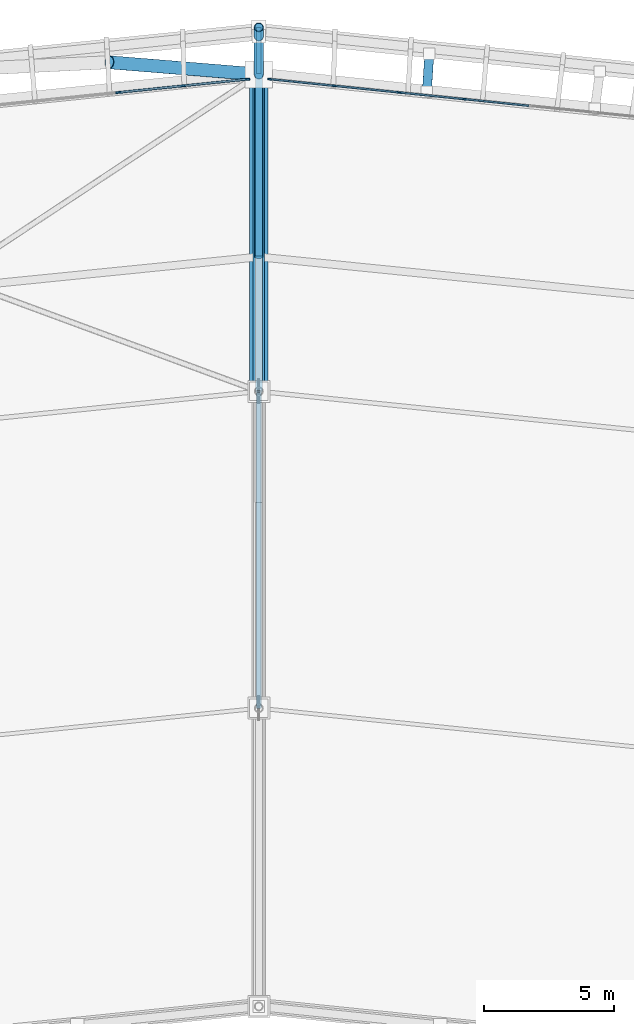
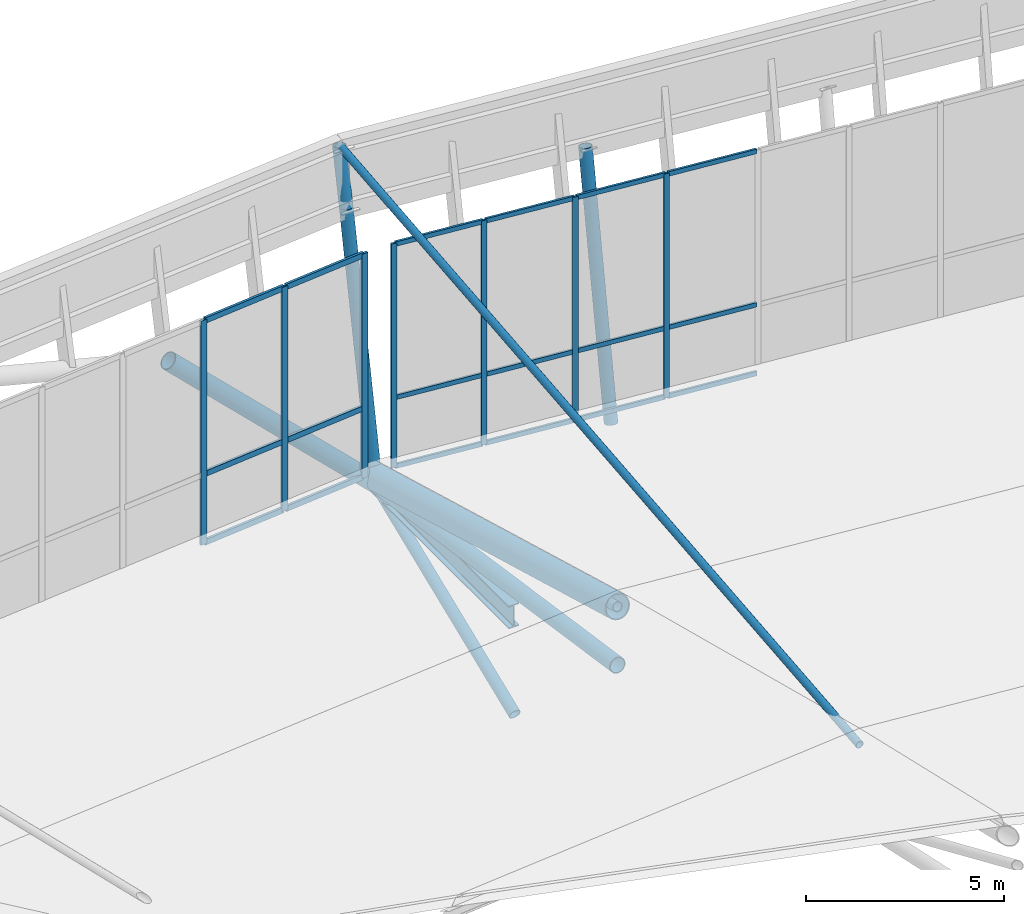
# One storey, part 71 of 115: 34 members, 1 beam, 2 elements without a shape of their own.
"""IFC4 building model written with IfcOpenShell, lengths in metres."""

from ifc_helpers import new_model, si_unit, direction, frame, origin, origin_2d, place, context, subcontext, project, spatial, rectangle, hollow_circle, i_section, extrude, material, material_profile, profile_set, type_object, element, aggregate, save


model = new_model("IFC4")

# Units and contexts
model_context = context("Model", 3, precision=1e-05, world=origin(), true_north=direction((0.0, 1.0)))
body_context = subcontext(model_context, "Body", "Model", "MODEL_VIEW")
ifc_project = project(units=[si_unit("LENGTHUNIT", "METRE"), si_unit("AREAUNIT", "SQUARE_METRE"), si_unit("VOLUMEUNIT", "CUBIC_METRE"), si_unit("PLANEANGLEUNIT", "RADIAN"), si_unit("MASSUNIT", "GRAM", prefix="KILO")], contexts=[model_context])

# Site, building, storey
site_placement = place(None, origin())
site = spatial("IfcSite", under=ifc_project, at=site_placement, CompositionType="ELEMENT")
building_placement = place(site_placement, origin())
building = spatial("IfcBuilding", under=site, at=building_placement, Name="Zlatoyarsky Gate Stadium", CompositionType="ELEMENT")
storey_placement = place(building_placement, frame((0.0, 0.0, 31.800048828125)))
storey = spatial("IfcBuildingStorey", under=building, at=storey_placement, Name="RF", CompositionType="ELEMENT", Elevation=31.800048828125)

# Curtain wall, members
ifc_material_1 = material(Name="Thermally broken anodised aluminium curtain wall", Category="aluminium")
curtain_wall_type_1 = type_object("IfcCurtainWallType", Name="MONUMENTAL ARCHED GATE GLAZING UPPER", PredefinedType="USERDEFINED", material=ifc_material_1)
curtain_wall_1_placement = place(storey_placement, origin())
curtain_wall_1 = element("IfcCurtainWall", 1, at=curtain_wall_1_placement, inside=storey, type_object=curtain_wall_type_1, Name="Curtain wall CW-RF-06", ObjectType="ARCHED GATE GLAZING", PredefinedType="USERDEFINED")
ifc_material_2 = material(Name="Anodised aluminium 6063-T6", Category="aluminium")
ifc_material_profile_1 = material_profile(ifc_material_2, rectangle(XDim=0.074951171875, YDim=0.18994140625, at=origin_2d()), Name="ALU 75X190")
ifc_profile_set_1 = profile_set([ifc_material_profile_1], Name="Anodised aluminium 6063-T6")
member_type_1 = type_object("IfcMemberType", Name="ALUMINIUM GATE MULLION 75X190", PredefinedType="MULLION", material=ifc_profile_set_1)
member_1_placement = place(storey_placement, frame((110.564697265625, 157.843017578125, 0.0), z_axis=(0.0, 0.0, 1.0), x_axis=(0.102125168703, -0.994771556649, 0.0)))
member_1 = element("IfcMember", 2, at=member_1_placement, type_object=member_type_1, Name="CW-AG2 mullion 1", PredefinedType="MULLION", context=body_context, shape_type="SweptSolid", body=[
    extrude(rectangle(XDim=0.074951171875, YDim=0.18994140625, at=origin_2d()), origin(), (0.0, 0.0, 1.0), 6.89990234375),
])
member_2_placement = place(storey_placement, frame((108.096435546875, 157.589599609375, 0.0), z_axis=(0.0, 0.0, 1.0), x_axis=(0.102125168703, -0.994771556649, 0.0)))
member_2 = element("IfcMember", 3, at=member_2_placement, type_object=member_type_1, Name="CW-AG2 mullion 2", PredefinedType="MULLION", context=body_context, shape_type="SweptSolid", body=[
    extrude(rectangle(XDim=0.074951171875, YDim=0.18994140625, at=origin_2d()), origin(), (0.0, 0.0, 1.0), 6.89990234375),
])
member_3_placement = place(storey_placement, frame((105.5908203125, 157.332275390625, 0.0), z_axis=(0.0, 0.0, 1.0), x_axis=(0.102125168703, -0.994771556649, 0.0)))
member_3 = element("IfcMember", 4, at=member_3_placement, type_object=member_type_1, Name="CW-AG2 mullion 3", PredefinedType="MULLION", context=body_context, shape_type="SweptSolid", body=[
    extrude(rectangle(XDim=0.074951171875, YDim=0.18994140625, at=origin_2d()), origin(), (0.0, 0.0, 1.0), 6.89990234375),
])
ifc_material_profile_2 = material_profile(ifc_material_2, rectangle(XDim=0.074951171875, YDim=0.169921875, at=origin_2d()), Name="ALU 75X170")
ifc_profile_set_2 = profile_set([ifc_material_profile_2], Name="Anodised aluminium 6063-T6")
member_type_2 = type_object("IfcMemberType", Name="ALUMINIUM GATE TRANSOM 75X170", PredefinedType="USERDEFINED", material=ifc_profile_set_2)
member_4_placement = place(storey_placement, frame((110.527587890625, 157.839111328125, 0.037353515625), z_axis=(-0.994777741442, -0.102064906465, 0.0), x_axis=(0.102064906465, -0.994777741442, 0.0)))
member_4 = element("IfcMember", 5, at=member_4_placement, type_object=member_type_2, Name="CW-AG2 transom 1.1", ObjectType="TRANSOM", PredefinedType="USERDEFINED", context=body_context, shape_type="SweptSolid", body=[
    extrude(rectangle(XDim=0.074951171875, YDim=0.169921875, at=origin_2d()), origin(), (0.0, 0.0, 1.0), 2.40625),
])
member_5_placement = place(storey_placement, frame((110.527587890625, 157.839111328125, 2.14990234375), z_axis=(-0.994777741442, -0.102064906465, 0.0), x_axis=(0.102064906465, -0.994777741442, 0.0)))
member_5 = element("IfcMember", 6, at=member_5_placement, type_object=member_type_2, Name="CW-AG2 transom 1.2", ObjectType="TRANSOM", PredefinedType="USERDEFINED", context=body_context, shape_type="SweptSolid", body=[
    extrude(rectangle(XDim=0.074951171875, YDim=0.169921875, at=origin_2d()), origin(), (0.0, 0.0, 1.0), 2.40625),
])
member_6_placement = place(storey_placement, frame((110.527587890625, 157.839111328125, 6.862548828125), z_axis=(-0.994777741442, -0.102064906465, 0.0), x_axis=(0.102064906465, -0.994777741442, 0.0)))
member_6 = element("IfcMember", 7, at=member_6_placement, type_object=member_type_2, Name="CW-AG2 transom 1.3", ObjectType="TRANSOM", PredefinedType="USERDEFINED", context=body_context, shape_type="SweptSolid", body=[
    extrude(rectangle(XDim=0.074951171875, YDim=0.169921875, at=origin_2d()), origin(), (0.0, 0.0, 1.0), 2.40625),
])
member_7_placement = place(storey_placement, frame((108.05908203125, 157.585693359375, 0.037353515625), z_axis=(-0.994774676967, -0.10209477002, 0.0), x_axis=(0.10209477002, -0.994774676967, 0.0)))
member_7 = element("IfcMember", 8, at=member_7_placement, type_object=member_type_2, Name="CW-AG2 transom 2.1", ObjectType="TRANSOM", PredefinedType="USERDEFINED", context=body_context, shape_type="SweptSolid", body=[
    extrude(rectangle(XDim=0.074951171875, YDim=0.169921875, at=origin_2d()), origin(), (0.0, 0.0, 1.0), 2.44384765625),
])
member_8_placement = place(storey_placement, frame((108.05908203125, 157.585693359375, 2.14990234375), z_axis=(-0.994774676967, -0.10209477002, 0.0), x_axis=(0.10209477002, -0.994774676967, 0.0)))
member_8 = element("IfcMember", 9, at=member_8_placement, type_object=member_type_2, Name="CW-AG2 transom 2.2", ObjectType="TRANSOM", PredefinedType="USERDEFINED", context=body_context, shape_type="SweptSolid", body=[
    extrude(rectangle(XDim=0.074951171875, YDim=0.169921875, at=origin_2d()), origin(), (0.0, 0.0, 1.0), 2.44384765625),
])
member_9_placement = place(storey_placement, frame((108.05908203125, 157.585693359375, 6.862548828125), z_axis=(-0.994774676967, -0.10209477002, 0.0), x_axis=(0.10209477002, -0.994774676967, 0.0)))
member_9 = element("IfcMember", 10, at=member_9_placement, type_object=member_type_2, Name="CW-AG2 transom 2.3", ObjectType="TRANSOM", PredefinedType="USERDEFINED", context=body_context, shape_type="SweptSolid", body=[
    extrude(rectangle(XDim=0.074951171875, YDim=0.169921875, at=origin_2d()), origin(), (0.0, 0.0, 1.0), 2.44384765625),
])
aggregate(curtain_wall_1, [member_1, member_2, member_3, member_4, member_5, member_6, member_7, member_8, member_9])

curtain_wall_type_2 = type_object("IfcCurtainWallType", Name="UNITISED SKYBOX RING GLAZING L05", PredefinedType="USERDEFINED", material=ifc_material_1)
curtain_wall_2_placement = place(storey_placement, origin())
curtain_wall_2 = element("IfcCurtainWall", 11, at=curtain_wall_2_placement, inside=storey, type_object=curtain_wall_type_2, Name="Curtain wall CW-RF-05", ObjectType="UNITISED GLAZING", PredefinedType="USERDEFINED")
ifc_material_profile_3 = material_profile(ifc_material_2, rectangle(XDim=0.06494140625, YDim=0.159912109375, at=origin_2d()), Name="ALU 65X160")
ifc_profile_set_3 = profile_set([ifc_material_profile_3], Name="Anodised aluminium 6063-T6")
member_type_3 = type_object("IfcMemberType", Name="ALUMINIUM MULLION 65X160", PredefinedType="MULLION", material=ifc_profile_set_3)
member_10_placement = place(storey_placement, frame((118.9150390625, 157.0751953125, 0.0), z_axis=(0.0, 0.0, 1.0), x_axis=(-0.102125168703, -0.994771556649, 0.0)))
member_10 = element("IfcMember", 12, at=member_10_placement, type_object=member_type_3, Name="CW-UG5 mullion 8", PredefinedType="MULLION", context=body_context, shape_type="SweptSolid", body=[
    extrude(rectangle(XDim=0.06494140625, YDim=0.159912109375, at=origin_2d()), origin(), (0.0, 0.0, 1.0), 6.89990234375),
])
member_11_placement = place(storey_placement, frame((116.4091796875, 157.332275390625, 0.0), z_axis=(0.0, 0.0, 1.0), x_axis=(-0.102125168703, -0.994771556649, 0.0)))
member_11 = element("IfcMember", 13, at=member_11_placement, type_object=member_type_3, Name="CW-UG5 mullion 9", PredefinedType="MULLION", context=body_context, shape_type="SweptSolid", body=[
    extrude(rectangle(XDim=0.06494140625, YDim=0.159912109375, at=origin_2d()), origin(), (0.0, 0.0, 1.0), 6.89990234375),
])
member_12_placement = place(storey_placement, frame((113.903564453125, 157.589599609375, 0.0), z_axis=(0.0, 0.0, 1.0), x_axis=(-0.102125168703, -0.994771556649, 0.0)))
member_12 = element("IfcMember", 14, at=member_12_placement, type_object=member_type_3, Name="CW-UG5 mullion 10", PredefinedType="MULLION", context=body_context, shape_type="SweptSolid", body=[
    extrude(rectangle(XDim=0.06494140625, YDim=0.159912109375, at=origin_2d()), origin(), (0.0, 0.0, 1.0), 6.89990234375),
])
member_13_placement = place(storey_placement, frame((111.43017578125, 157.843505859375, 0.0), z_axis=(0.0, 0.0, 1.0), x_axis=(-0.102125168703, -0.994771556649, 0.0)))
member_13 = element("IfcMember", 15, at=member_13_placement, type_object=member_type_3, Name="CW-UG5 mullion 11", PredefinedType="MULLION", context=body_context, shape_type="SweptSolid", body=[
    extrude(rectangle(XDim=0.06494140625, YDim=0.159912109375, at=origin_2d()), origin(), (0.0, 0.0, 1.0), 6.89990234375),
])
ifc_material_profile_4 = material_profile(ifc_material_2, rectangle(XDim=0.06494140625, YDim=0.139892578125, at=origin_2d()), Name="ALU 65X140")
ifc_profile_set_4 = profile_set([ifc_material_profile_4], Name="Anodised aluminium 6063-T6")
member_type_4 = type_object("IfcMemberType", Name="ALUMINIUM TRANSOM 65X140", PredefinedType="USERDEFINED", material=ifc_profile_set_4)
member_14_placement = place(storey_placement, frame((121.388427734375, 156.821044921875, 0.032470703125), z_axis=(-0.994766670268, 0.102172754312, 0.0), x_axis=(-0.102172754312, -0.994766670268, 0.0)))
member_14 = element("IfcMember", 16, at=member_14_placement, type_object=member_type_4, Name="CW-UG5 transom 7.1", ObjectType="TRANSOM", PredefinedType="USERDEFINED", context=body_context, shape_type="SweptSolid", body=[
    extrude(rectangle(XDim=0.06494140625, YDim=0.139892578125, at=origin_2d()), origin(), (0.0, 0.0, 1.0), 2.4541015625),
])
member_15_placement = place(storey_placement, frame((121.388427734375, 156.821044921875, 2.14990234375), z_axis=(-0.994766670268, 0.102172754312, 0.0), x_axis=(-0.102172754312, -0.994766670268, 0.0)))
member_15 = element("IfcMember", 17, at=member_15_placement, type_object=member_type_4, Name="CW-UG5 transom 7.2", ObjectType="TRANSOM", PredefinedType="USERDEFINED", context=body_context, shape_type="SweptSolid", body=[
    extrude(rectangle(XDim=0.06494140625, YDim=0.139892578125, at=origin_2d()), origin(), (0.0, 0.0, 1.0), 2.4541015625),
])
member_16_placement = place(storey_placement, frame((121.388427734375, 156.821044921875, 6.867431640625), z_axis=(-0.994766670268, 0.102172754312, 0.0), x_axis=(-0.102172754312, -0.994766670268, 0.0)))
member_16 = element("IfcMember", 18, at=member_16_placement, type_object=member_type_4, Name="CW-UG5 transom 7.3", ObjectType="TRANSOM", PredefinedType="USERDEFINED", context=body_context, shape_type="SweptSolid", body=[
    extrude(rectangle(XDim=0.06494140625, YDim=0.139892578125, at=origin_2d()), origin(), (0.0, 0.0, 1.0), 2.4541015625),
])
member_17_placement = place(storey_placement, frame((118.882568359375, 157.078369140625, 0.032470703125), z_axis=(-0.994765631546, 0.102182866933, 0.0), x_axis=(-0.102182866933, -0.994765631546, 0.0)))
member_17 = element("IfcMember", 19, at=member_17_placement, type_object=member_type_4, Name="CW-UG5 transom 8.1", ObjectType="TRANSOM", PredefinedType="USERDEFINED", context=body_context, shape_type="SweptSolid", body=[
    extrude(rectangle(XDim=0.06494140625, YDim=0.139892578125, at=origin_2d()), origin(), (0.0, 0.0, 1.0), 2.453857421875),
])
member_18_placement = place(storey_placement, frame((118.882568359375, 157.078369140625, 2.14990234375), z_axis=(-0.994765631546, 0.102182866933, 0.0), x_axis=(-0.102182866933, -0.994765631546, 0.0)))
member_18 = element("IfcMember", 20, at=member_18_placement, type_object=member_type_4, Name="CW-UG5 transom 8.2", ObjectType="TRANSOM", PredefinedType="USERDEFINED", context=body_context, shape_type="SweptSolid", body=[
    extrude(rectangle(XDim=0.06494140625, YDim=0.139892578125, at=origin_2d()), origin(), (0.0, 0.0, 1.0), 2.453857421875),
])
member_19_placement = place(storey_placement, frame((118.882568359375, 157.078369140625, 6.867431640625), z_axis=(-0.994765631546, 0.102182866933, 0.0), x_axis=(-0.102182866933, -0.994765631546, 0.0)))
member_19 = element("IfcMember", 21, at=member_19_placement, type_object=member_type_4, Name="CW-UG5 transom 8.3", ObjectType="TRANSOM", PredefinedType="USERDEFINED", context=body_context, shape_type="SweptSolid", body=[
    extrude(rectangle(XDim=0.06494140625, YDim=0.139892578125, at=origin_2d()), origin(), (0.0, 0.0, 1.0), 2.453857421875),
])
member_20_placement = place(storey_placement, frame((116.376953125, 157.335693359375, 0.032470703125), z_axis=(-0.994775740393, 0.102084407846, 0.0), x_axis=(-0.102084407846, -0.994775740393, 0.0)))
member_20 = element("IfcMember", 22, at=member_20_placement, type_object=member_type_4, Name="CW-UG5 transom 9.1", ObjectType="TRANSOM", PredefinedType="USERDEFINED", context=body_context, shape_type="SweptSolid", body=[
    extrude(rectangle(XDim=0.06494140625, YDim=0.139892578125, at=origin_2d()), origin(), (0.0, 0.0, 1.0), 2.453857421875),
])
member_21_placement = place(storey_placement, frame((116.376953125, 157.335693359375, 2.14990234375), z_axis=(-0.994775740393, 0.102084407846, 0.0), x_axis=(-0.102084407846, -0.994775740393, 0.0)))
member_21 = element("IfcMember", 23, at=member_21_placement, type_object=member_type_4, Name="CW-UG5 transom 9.2", ObjectType="TRANSOM", PredefinedType="USERDEFINED", context=body_context, shape_type="SweptSolid", body=[
    extrude(rectangle(XDim=0.06494140625, YDim=0.139892578125, at=origin_2d()), origin(), (0.0, 0.0, 1.0), 2.453857421875),
])
member_22_placement = place(storey_placement, frame((116.376953125, 157.335693359375, 6.867431640625), z_axis=(-0.994775740393, 0.102084407846, 0.0), x_axis=(-0.102084407846, -0.994775740393, 0.0)))
member_22 = element("IfcMember", 24, at=member_22_placement, type_object=member_type_4, Name="CW-UG5 transom 9.3", ObjectType="TRANSOM", PredefinedType="USERDEFINED", context=body_context, shape_type="SweptSolid", body=[
    extrude(rectangle(XDim=0.06494140625, YDim=0.139892578125, at=origin_2d()), origin(), (0.0, 0.0, 1.0), 2.453857421875),
])
member_23_placement = place(storey_placement, frame((113.871337890625, 157.5927734375, 0.032470703125), z_axis=(-0.994770149226, 0.102138877069, 0.0), x_axis=(-0.102138877069, -0.994770149226, 0.0)))
member_23 = element("IfcMember", 25, at=member_23_placement, type_object=member_type_4, Name="CW-UG5 transom 10.1", ObjectType="TRANSOM", PredefinedType="USERDEFINED", context=body_context, shape_type="SweptSolid", body=[
    extrude(rectangle(XDim=0.06494140625, YDim=0.139892578125, at=origin_2d()), origin(), (0.0, 0.0, 1.0), 2.42138671875),
])
member_24_placement = place(storey_placement, frame((113.871337890625, 157.5927734375, 2.14990234375), z_axis=(-0.994770149226, 0.102138877069, 0.0), x_axis=(-0.102138877069, -0.994770149226, 0.0)))
member_24 = element("IfcMember", 26, at=member_24_placement, type_object=member_type_4, Name="CW-UG5 transom 10.2", ObjectType="TRANSOM", PredefinedType="USERDEFINED", context=body_context, shape_type="SweptSolid", body=[
    extrude(rectangle(XDim=0.06494140625, YDim=0.139892578125, at=origin_2d()), origin(), (0.0, 0.0, 1.0), 2.42138671875),
])
member_25_placement = place(storey_placement, frame((113.871337890625, 157.5927734375, 6.867431640625), z_axis=(-0.994770149226, 0.102138877069, 0.0), x_axis=(-0.102138877069, -0.994770149226, 0.0)))
member_25 = element("IfcMember", 27, at=member_25_placement, type_object=member_type_4, Name="CW-UG5 transom 10.3", ObjectType="TRANSOM", PredefinedType="USERDEFINED", context=body_context, shape_type="SweptSolid", body=[
    extrude(rectangle(XDim=0.06494140625, YDim=0.139892578125, at=origin_2d()), origin(), (0.0, 0.0, 1.0), 2.42138671875),
])
aggregate(curtain_wall_2, [member_10, member_11, member_12, member_13, member_14, member_15, member_16, member_17, member_18, member_19, member_20, member_21, member_22, member_23, member_24, member_25])

# Members
ifc_material_3 = material(Name="Steel S355", Category="steel")
ifc_material_profile_5 = material_profile(ifc_material_3, hollow_circle(Radius=0.228515625, WallThickness=0.02490234375, at=origin_2d()), Name="CHS 457X25")
ifc_profile_set_5 = profile_set([ifc_material_profile_5], Name="Steel S355")
member_type_5 = type_object("IfcMemberType", Name="STEEL ARCH BOTTOM CHORD CHS 457X25", PredefinedType="CHORD", material=ifc_profile_set_5)
member_26_placement = place(storey_placement, frame((111.0, 158.027587890625, -0.449951171875), z_axis=(0.0, -0.989298888585, 0.145903080996), x_axis=(1.0, 0.0, 0.0)))
element("IfcMember", 28, at=member_26_placement, inside=storey, type_object=member_type_5, Name="Radial truss R07 bottom chord 1", PredefinedType="CHORD", context=body_context, shape_type="SweptSolid", body=[
    extrude(hollow_circle(Radius=0.228515625, WallThickness=0.02490234375, at=origin_2d()), origin(), (0.0, 0.0, 1.0), 12.335693359375),
])
ifc_material_profile_6 = material_profile(ifc_material_3, hollow_circle(Radius=0.25390625, WallThickness=0.02490234375, at=origin_2d()), Name="CHS 508X25")
ifc_profile_set_6 = profile_set([ifc_material_profile_6], Name="Steel S355")
member_type_6 = type_object("IfcMemberType", Name="STEEL ARCH TOP CHORD CHS 508X25", PredefinedType="CHORD", material=ifc_profile_set_6)
member_27_placement = place(storey_placement, frame((111.0, 158.027587890625, -0.449951171875), z_axis=(-0.721755487905, 0.058837597988, 0.689642771834), x_axis=(-0.081250595925, -0.996693704536, 0.0)))
element("IfcMember", 29, at=member_27_placement, inside=storey, type_object=member_type_6, Name="Monumental gate portal arch chord 06-1", PredefinedType="CHORD", context=body_context, shape_type="SweptSolid", body=[
    extrude(hollow_circle(Radius=0.25390625, WallThickness=0.02490234375, at=origin_2d()), origin(), (0.0, 0.0, 1.0), 7.97509765625),
])
ifc_material_profile_7 = material_profile(ifc_material_3, hollow_circle(Radius=0.35546875, WallThickness=0.031982421875, at=origin_2d()), Name="CHS 711X32")
ifc_profile_set_7 = profile_set([ifc_material_profile_7], Name="Steel S355")
member_type_7 = type_object("IfcMemberType", Name="STEEL ARCH TOP CHORD CHS 711X32", PredefinedType="CHORD", material=ifc_profile_set_7)
member_28_placement = place(storey_placement, frame((111.0, 158.027587890625, -0.25), z_axis=(0.0, -0.96331386973, 0.268377324648), x_axis=(1.0, 0.0, 0.0)))
element("IfcMember", 30, at=member_28_placement, inside=storey, type_object=member_type_7, Name="Radial truss R07 top chord 1", PredefinedType="CHORD", context=body_context, shape_type="SweptSolid", body=[
    extrude(hollow_circle(Radius=0.35546875, WallThickness=0.031982421875, at=origin_2d()), origin(), (0.0, 0.0, 1.0), 12.66845703125),
])
ifc_material_profile_8 = material_profile(ifc_material_3, hollow_circle(Radius=0.109619140625, WallThickness=0.012451171875, at=origin_2d()), Name="CHS 219.1X12.5")
ifc_profile_set_8 = profile_set([ifc_material_profile_8], Name="Steel S355")
member_type_8 = type_object("IfcMemberType", Name="STEEL CANOPY WIND BRACE CHS 219.1X12.5", PredefinedType="BRACE", material=ifc_profile_set_8)
member_29_placement = place(storey_placement, frame((111.0, 159.84423828125, 8.849853515625), z_axis=(0.0, -0.995306120518, -0.09677668345), x_axis=(1.0, 0.0, 0.0)))
element("IfcMember", 31, at=member_29_placement, inside=storey, type_object=member_type_8, Name="Crown fascia tie brace 06", PredefinedType="BRACE", context=body_context, shape_type="SweptSolid", body=[
    extrude(hollow_circle(Radius=0.109619140625, WallThickness=0.012451171875, at=origin_2d()), origin(), (0.0, 0.0, 1.0), 26.347412109375),
])
ifc_material_profile_9 = material_profile(ifc_material_3, hollow_circle(Radius=0.177734375, WallThickness=0.02001953125, at=origin_2d()), Name="CHS 355.6X20")
ifc_profile_set_9 = profile_set([ifc_material_profile_9], Name="Steel S355")
member_type_9 = type_object("IfcMemberType", Name="STEEL LEANING RIB RING STRUT CHS 355.6X20", PredefinedType="STRUT", material=ifc_profile_set_9)
member_30_placement = place(storey_placement, frame((117.472412109375, 157.36279296875, -0.449951171875), z_axis=(0.012240912799, 0.188062064931, 0.982080862143), x_axis=(-0.997888369576, 0.064952304545, 0.0)))
element("IfcMember", 32, at=member_30_placement, inside=storey, type_object=member_type_9, Name="Outward-leaning bowl louvre fin rib RF 05-3", PredefinedType="STRUT", context=body_context, shape_type="SweptSolid", body=[
    extrude(hollow_circle(Radius=0.177734375, WallThickness=0.02001953125, at=origin_2d()), origin(), (0.0, 0.0, 1.0), 7.738525390625),
])
member_31_placement = place(storey_placement, frame((111.0, 158.027587890625, -0.449951171875), z_axis=(0.0, 0.189627638022, 0.981856078506), x_axis=(-1.0, 0.0, 0.0)))
element("IfcMember", 33, at=member_31_placement, inside=storey, type_object=member_type_9, Name="Outward-leaning crown fascia lower post 06", PredefinedType="STRUT", context=body_context, shape_type="SweptSolid", body=[
    extrude(hollow_circle(Radius=0.177734375, WallThickness=0.02001953125, at=origin_2d()), origin(), (0.0, 0.0, 1.0), 7.740234375),
])
member_32_placement = place(storey_placement, frame((111.0, 159.495361328125, 7.14990234375), z_axis=(0.0, 0.201037606768, 0.979583524088), x_axis=(-1.0, 0.0, 0.0)))
element("IfcMember", 34, at=member_32_placement, inside=storey, type_object=member_type_9, Name="Outward-leaning crown fascia upper post 06", PredefinedType="STRUT", context=body_context, shape_type="SweptSolid", body=[
    extrude(hollow_circle(Radius=0.177734375, WallThickness=0.02001953125, at=origin_2d()), origin(), (0.0, 0.0, 1.0), 1.7353515625),
])

# Beam
ifc_material_profile_10 = material_profile(ifc_material_3, i_section(OverallWidth=0.300048828125, OverallDepth=0.699951171875, WebThickness=0.01708984375, FlangeThickness=0.031982421875, FilletRadius=0.027099609375, at=origin_2d()), Name="HEB 700")
ifc_profile_set_10 = profile_set([ifc_material_profile_10], Name="Steel S355")
beam_type = type_object("IfcBeamType", Name="STEEL ROOF RING GIRDER HEB 700", PredefinedType="BEAM", material=ifc_profile_set_10)
beam_placement = place(storey_placement, frame((111.0, 151.0400390625, -0.300048828125), z_axis=(0.0, 1.0, 0.0), x_axis=(-1.0, 0.0, 0.0)))
element("IfcBeam", 35, at=beam_placement, inside=storey, type_object=beam_type, Name="RF roof tie girder BM-RF-COUT-06", PredefinedType="BEAM", context=body_context, shape_type="SweptSolid", body=[
    extrude(i_section(OverallWidth=0.300048828125, OverallDepth=0.699951171875, WebThickness=0.01708984375, FlangeThickness=0.031982421875, FilletRadius=0.027099609375, at=origin_2d()), origin(), (0.0, 0.0, 1.0), 6.987548828125),
])

# Members
ifc_material_profile_11 = material_profile(ifc_material_3, hollow_circle(Radius=0.136474609375, WallThickness=0.01611328125, at=origin_2d()), Name="CHS 273X16")
ifc_profile_set_11 = profile_set([ifc_material_profile_11], Name="Steel S355")
member_type_10 = type_object("IfcMemberType", Name="STEEL ROOF TRUSS DIAGONAL CHS 273X16", PredefinedType="BRACE", material=ifc_profile_set_11)
member_33_placement = place(storey_placement, frame((111.0, 158.027587890625, -0.449951171875), z_axis=(0.0, -0.959140622619, 0.282929789952), x_axis=(1.0, 0.0, 0.0)))
element("IfcMember", 36, at=member_33_placement, inside=storey, type_object=member_type_10, Name="Radial truss R07 web diagonal 1", PredefinedType="BRACE", context=body_context, shape_type="SweptSolid", body=[
    extrude(hollow_circle(Radius=0.136474609375, WallThickness=0.01611328125, at=origin_2d()), origin(), (0.0, 0.0, 1.0), 12.723388671875),
])
ifc_material_profile_12 = material_profile(ifc_material_3, hollow_circle(Radius=0.161865234375, WallThickness=0.01611328125, at=origin_2d()), Name="CHS 323.9X16")
ifc_profile_set_12 = profile_set([ifc_material_profile_12], Name="Steel S355")
member_type_11 = type_object("IfcMemberType", Name="STEEL TRUSS WEB STRUT CHS 323.9X16", PredefinedType="STRUT", material=ifc_profile_set_12)
member_34_placement = place(storey_placement, frame((111.0, 151.0, -3.300048828125), z_axis=(0.0, 0.926689879349, 0.375826911639), x_axis=(-1.0, 0.0, 0.0)))
element("IfcMember", 37, at=member_34_placement, inside=storey, type_object=member_type_11, Name="Arch heel prop 06", PredefinedType="STRUT", context=body_context, shape_type="SweptSolid", body=[
    extrude(hollow_circle(Radius=0.161865234375, WallThickness=0.01611328125, at=origin_2d()), origin(), (0.0, 0.0, 1.0), 7.58349609375),
])

save(model, "model.ifc")
